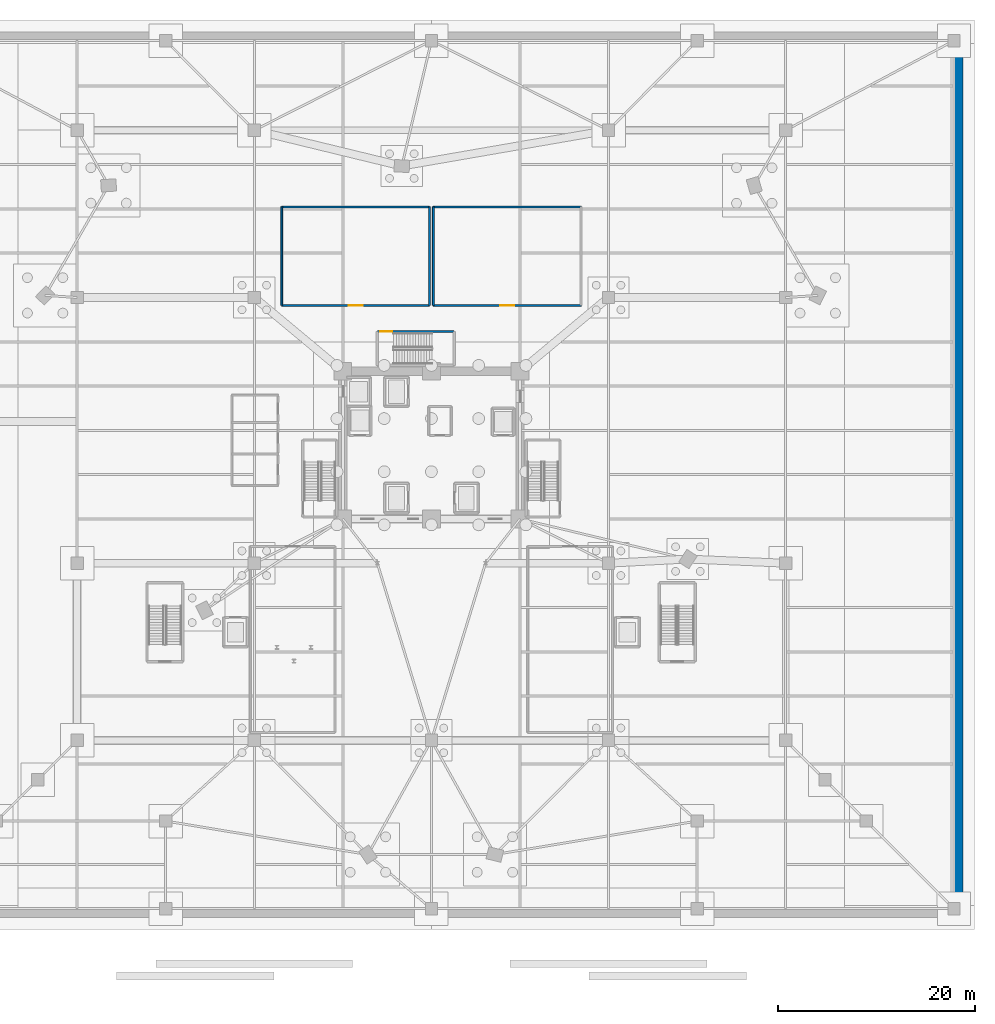
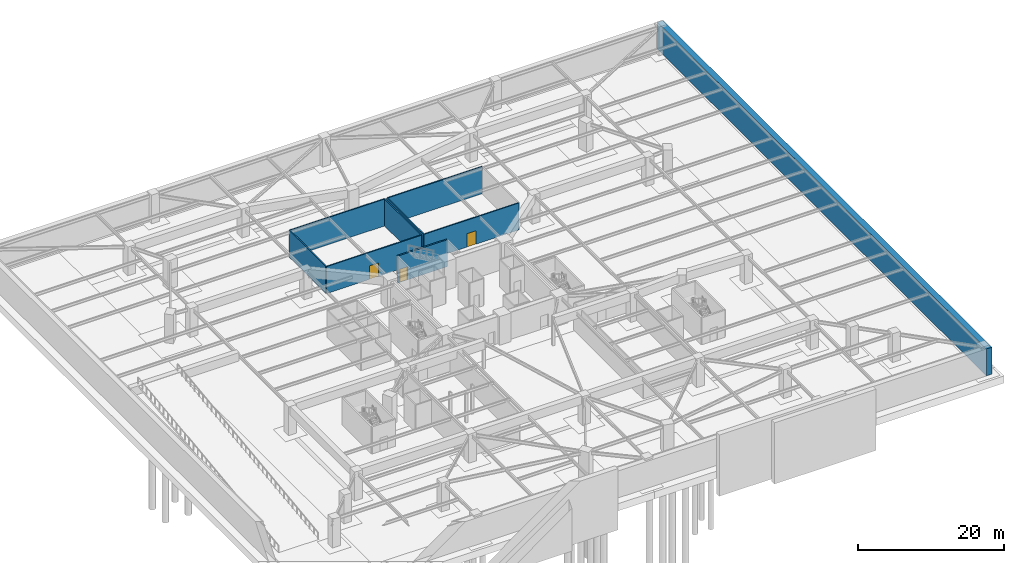
# One storey, part 12 of 19: 9 walls, 3 doors, 3 openings.
"""IFC4 building model written with IfcOpenShell, lengths in metres."""

from ifc_helpers import new_model, si_unit, direction, frame, frame_2d, origin, place, context, subcontext, project, spatial, rectangle, extrude, source, transform, mapped, material, layer, layer_set, type_object, element, fill, save


model = new_model("IFC4")

# Units and contexts
model_context = context("Model", 3, precision=1e-05, world=origin(), true_north=direction((0.0, 1.0)))
body_context = subcontext(model_context, "Body", "Model", "MODEL_VIEW")
ifc_project = project(units=[si_unit("LENGTHUNIT", "METRE"), si_unit("AREAUNIT", "SQUARE_METRE"), si_unit("VOLUMEUNIT", "CUBIC_METRE"), si_unit("PLANEANGLEUNIT", "RADIAN"), si_unit("MASSUNIT", "GRAM", prefix="KILO")], contexts=[model_context])

# Site, building, storey
site_placement = place(None, origin())
site = spatial("IfcSite", under=ifc_project, at=site_placement, CompositionType="ELEMENT")
building_placement = place(site_placement, origin())
building = spatial("IfcBuilding", under=site, at=building_placement, Name="Liaohun Quay Tower", CompositionType="ELEMENT")
storey_placement = place(building_placement, frame((0.0, 0.0, -9.60009765625)))
storey = spatial("IfcBuildingStorey", under=building, at=storey_placement, Name="B2", CompositionType="ELEMENT", Elevation=-9.60009765625)

# Wall, opening, door
ifc_material_1 = material(Name="Autoclaved aerated concrete blockwork", Category="masonry")
ifc_layer_1 = layer(ifc_material_1, 0.179931640625, Name="Autoclaved aerated concrete blockwork", Category="masonry")
ifc_layer_set_1 = layer_set([ifc_layer_1], Name="Autoclaved aerated concrete blockwork")
wall_type_1 = type_object("IfcWallType", Name="WAL-PRT-COR", PredefinedType="PARTITIONING", material=ifc_layer_set_1)
wall_1_placement = place(storey_placement, frame((44.800048828125, 68.199951171875, 0.0), z_axis=(0.0, 0.0, 1.0), x_axis=(1.0, 0.0, 0.0)))
wall_1 = element("IfcWall", 1, at=wall_1_placement, inside=storey, type_object=wall_type_1, Name="B2 Interior Partition Wall 007", PredefinedType="PARTITIONING", context=body_context, shape_type="SweptSolid", body=[
    extrude(rectangle(XDim=15.0, YDim=0.179931640625, at=frame_2d((7.5, 0.0))), origin(), (0.0, 0.0, 1.0), 4.5),
])
shared_shape_1 = source(origin(), body_context, "Body", "SweptSolid", [
    extrude(rectangle(XDim=1.39990234375, YDim=2.25, at=frame_2d((0.699951171875, 1.125))), frame((0.0, 0.099853515625, 0.0), z_axis=(0.0, -1.0, 0.0), x_axis=(1.0, 0.0, 0.0)), (0.0, 0.0, 1.0), 0.199951171875),
])
opening_1_placement = place(wall_1_placement, frame((6.800048828125, 0.0, 0.0)))
opening_1 = element("IfcOpeningElement", 2, at=opening_1_placement, cuts=wall_1, Name="Opening MD1", PredefinedType="OPENING", context=body_context, shape_type="MappedRepresentation", body=[
    mapped(shared_shape_1, transform((0.0, 0.0, 0.0), x_axis=(1.0, 0.0, 0.0), y_axis=(0.0, 1.0, 0.0), z_axis=(0.0, 0.0, 1.0), scale=1.0)),
])
ifc_material_2 = material(Name="Insulated steel plant room door", Category="steel")
door_type_1 = type_object("IfcDoorType", Name="DOR-MEP-1400", OperationType="DOUBLE_DOOR_SINGLE_SWING", PredefinedType="DOOR", material=ifc_material_2)
shared_shape_2 = source(origin(), body_context, "Body", "SweptSolid", [
    extrude(rectangle(XDim=1.39990234375, YDim=2.25, at=frame_2d((0.699951171875, 1.125))), frame((0.0, 0.02490234375, 0.0), z_axis=(0.0, -1.0, 0.0), x_axis=(1.0, 0.0, 0.0)), (0.0, 0.0, 1.0), 0.050048828125),
])
door_1_placement = place(opening_1_placement, origin())
door_1 = element("IfcDoor", 3, at=door_1_placement, inside=storey, type_object=door_type_1, Name="B2 High-Voltage Substation and Generator Plant Room Door", OperationType="DOUBLE_DOOR_SINGLE_SWING", OverallHeight=2.25, OverallWidth=1.39990234375, PredefinedType="DOOR", context=body_context, shape_type="MappedRepresentation", body=[
    mapped(shared_shape_2, transform((0.0, 0.0, 0.0), x_axis=(1.0, 0.0, 0.0), y_axis=(0.0, 1.0, 0.0), z_axis=(0.0, 0.0, 1.0), scale=1.0)),
])
fill(opening_1, door_1)

wall_2_placement = place(storey_placement, frame((60.199951171875, 68.199951171875, 0.0), z_axis=(0.0, 0.0, 1.0), x_axis=(1.0, 0.0, 0.0)))
wall_2 = element("IfcWall", 4, at=wall_2_placement, inside=storey, type_object=wall_type_1, Name="B2 Interior Partition Wall 008", PredefinedType="PARTITIONING", context=body_context, shape_type="SweptSolid", body=[
    extrude(rectangle(XDim=15.0, YDim=0.179931640625, at=frame_2d((7.5, 0.0))), origin(), (0.0, 0.0, 1.0), 4.5),
])
opening_2_placement = place(wall_2_placement, frame((6.800048828125, 0.0, 0.0)))
opening_2 = element("IfcOpeningElement", 5, at=opening_2_placement, cuts=wall_2, Name="Opening MD1", PredefinedType="OPENING", context=body_context, shape_type="MappedRepresentation", body=[
    mapped(shared_shape_1, transform((0.0, 0.0, 0.0), x_axis=(1.0, 0.0, 0.0), y_axis=(0.0, 1.0, 0.0), z_axis=(0.0, 0.0, 1.0), scale=1.0)),
])
door_2_placement = place(opening_2_placement, origin())
door_2 = element("IfcDoor", 6, at=door_2_placement, inside=storey, type_object=door_type_1, Name="B2 Basement Facilities Archive and Bicycle Store Door", OperationType="DOUBLE_DOOR_SINGLE_SWING", OverallHeight=2.25, OverallWidth=1.39990234375, PredefinedType="DOOR", context=body_context, shape_type="MappedRepresentation", body=[
    mapped(shared_shape_2, transform((0.0, 0.0, 0.0), x_axis=(1.0, 0.0, 0.0), y_axis=(0.0, 1.0, 0.0), z_axis=(0.0, 0.0, 1.0), scale=1.0)),
])
fill(opening_2, door_2)

# Walls
wall_3_placement = place(storey_placement, frame((44.800048828125, 78.199951171875, 0.0), z_axis=(0.0, 0.0, 1.0), x_axis=(1.0, 0.0, 0.0)))
element("IfcWall", 7, at=wall_3_placement, inside=storey, type_object=wall_type_1, Name="B2 Interior Partition Wall 023", PredefinedType="PARTITIONING", context=body_context, shape_type="SweptSolid", body=[
    extrude(rectangle(XDim=15.0, YDim=0.179931640625, at=frame_2d((7.5, 0.0))), origin(), (0.0, 0.0, 1.0), 4.5),
])
for number, where, z_axis, x_axis, name in (
    (8, (44.800048828125, 68.199951171875, 0.0), (0.0, 0.0, 1.0), (0.0, 1.0, 0.0), "B2 Interior Partition Wall 024"),
    (9, (59.800048828125, 68.199951171875, 0.0), (0.0, 0.0, 1.0), (0.0, 1.0, 0.0), "B2 Interior Partition Wall 025"),
):
    element("IfcWall", number, at=place(storey_placement, frame(where, z_axis=z_axis, x_axis=x_axis)), inside=storey, type_object=wall_type_1, Name=name, PredefinedType="PARTITIONING", context=body_context, shape_type="SweptSolid", body=[
        extrude(rectangle(XDim=10.0, YDim=0.179931640625, at=frame_2d((5.0, 0.0))), origin(), (0.0, 0.0, 1.0), 4.5),
    ])
wall_4_placement = place(storey_placement, frame((60.199951171875, 78.199951171875, 0.0), z_axis=(0.0, 0.0, 1.0), x_axis=(1.0, 0.0, 0.0)))
element("IfcWall", 10, at=wall_4_placement, inside=storey, type_object=wall_type_1, Name="B2 Interior Partition Wall 026", PredefinedType="PARTITIONING", context=body_context, shape_type="SweptSolid", body=[
    extrude(rectangle(XDim=15.0, YDim=0.179931640625, at=frame_2d((7.5, 0.0))), origin(), (0.0, 0.0, 1.0), 4.5),
])
wall_5_placement = place(storey_placement, frame((60.199951171875, 68.199951171875, 0.0), z_axis=(0.0, 0.0, 1.0), x_axis=(0.0, 1.0, 0.0)))
element("IfcWall", 11, at=wall_5_placement, inside=storey, type_object=wall_type_1, Name="B2 Interior Partition Wall 027", PredefinedType="PARTITIONING", context=body_context, shape_type="SweptSolid", body=[
    extrude(rectangle(XDim=10.0, YDim=0.179931640625, at=frame_2d((5.0, 0.0))), origin(), (0.0, 0.0, 1.0), 4.5),
])
ifc_material_3 = material(Name="Concrete C50", Category="concrete")
ifc_layer_2 = layer(ifc_material_3, 0.89990234375, Name="Concrete C50", Category="concrete")
ifc_layer_set_2 = layer_set([ifc_layer_2], Name="Concrete C50")
wall_type_2 = type_object("IfcWallType", Name="WAL-RET-B2", PredefinedType="USERDEFINED", material=ifc_layer_set_2)
wall_6_placement = place(storey_placement, frame((113.550048828125, 96.0, 0.0), z_axis=(0.0, 0.0, 1.0), x_axis=(0.0, -1.0, 0.0)))
element("IfcWall", 12, at=wall_6_placement, inside=storey, type_object=wall_type_2, Name="B2 Waterproof Retaining Wall E", ObjectType="RETAINING WALL", PredefinedType="USERDEFINED", context=body_context, shape_type="SweptSolid", body=[
    extrude(rectangle(XDim=90.0, YDim=0.89990234375, at=frame_2d((45.0, 0.0))), origin(), (0.0, 0.0, 1.0), 4.5),
])

# Wall, opening, door
ifc_layer_3 = layer(ifc_material_3, 0.239990234375, Name="Concrete C50", Category="concrete")
ifc_layer_set_3 = layer_set([ifc_layer_3], Name="Concrete C50")
wall_type_3 = type_object("IfcWallType", Name="WAL-SHF-200", PredefinedType="SOLIDWALL", material=ifc_layer_set_3)
wall_7_placement = place(storey_placement, frame((62.320068359375, 65.5400390625, 0.0), z_axis=(0.0, 0.0, 1.0), x_axis=(-1.0, 0.0, 0.0)))
wall_7 = element("IfcWall", 13, at=wall_7_placement, inside=storey, type_object=wall_type_3, Name="B2 Stairwell ST-3 Structural Core Wall N", PredefinedType="SOLIDWALL", context=body_context, shape_type="SweptSolid", body=[
    extrude(rectangle(XDim=7.820068359375, YDim=0.239990234375, at=frame_2d((3.91015625, 0.0))), origin(), (0.0, 0.0, 1.0), 4.5),
])
shared_shape_3 = source(origin(), body_context, "Body", "SweptSolid", [
    extrude(rectangle(XDim=1.199951171875, YDim=2.199951171875, at=frame_2d((0.60009765625, 1.10009765625))), frame((0.0, 0.1298828125, 0.0), z_axis=(0.0, -1.0, 0.0), x_axis=(1.0, 0.0, 0.0)), (0.0, 0.0, 1.0), 0.260009765625),
])
opening_3_placement = place(wall_7_placement, frame((6.300048828125, 0.0, 0.0)))
opening_3 = element("IfcOpeningElement", 14, at=opening_3_placement, cuts=wall_7, Name="Opening SD1", PredefinedType="OPENING", context=body_context, shape_type="MappedRepresentation", body=[
    mapped(shared_shape_3, transform((0.0, 0.0, 0.0), x_axis=(1.0, 0.0, 0.0), y_axis=(0.0, 1.0, 0.0), z_axis=(0.0, 0.0, 1.0), scale=1.0)),
])
ifc_material_4 = material(Name="Galvanised steel fire door", Category="steel")
door_type_2 = type_object("IfcDoorType", Name="DOR-STR-1200", OperationType="NOTDEFINED", PredefinedType="DOOR", material=ifc_material_4)
shared_shape_4 = source(origin(), body_context, "Body", "SweptSolid", [
    extrude(rectangle(XDim=1.199951171875, YDim=2.199951171875, at=frame_2d((0.60009765625, 1.10009765625))), frame((0.0, 0.02490234375, 0.0), z_axis=(0.0, -1.0, 0.0), x_axis=(1.0, 0.0, 0.0)), (0.0, 0.0, 1.0), 0.050048828125),
])
door_3_placement = place(opening_3_placement, origin())
door_3 = element("IfcDoor", 15, at=door_3_placement, inside=storey, type_object=door_type_2, Name="B2 Protected Stair ST-3 Fire Door", OperationType="SINGLE_SWING_RIGHT", OverallHeight=2.199951171875, OverallWidth=1.199951171875, PredefinedType="DOOR", context=body_context, shape_type="MappedRepresentation", body=[
    mapped(shared_shape_4, transform((0.0, 0.0, 0.0), x_axis=(1.0, 0.0, 0.0), y_axis=(0.0, 1.0, 0.0), z_axis=(0.0, 0.0, 1.0), scale=1.0)),
])
fill(opening_3, door_3)

save(model, "model.ifc")
